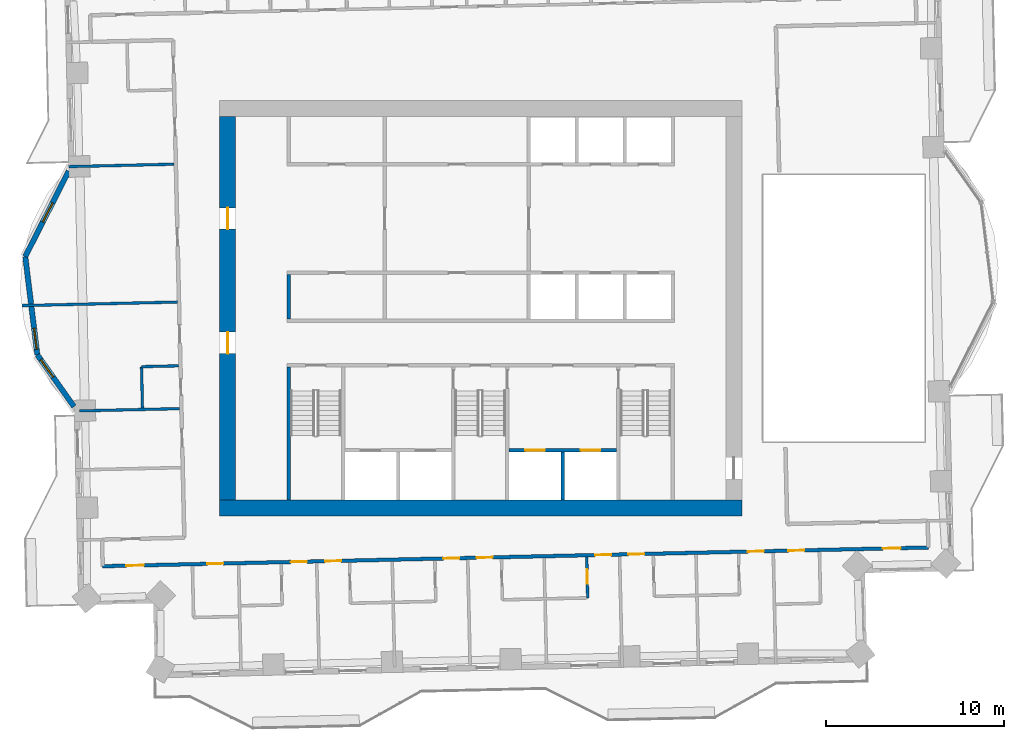
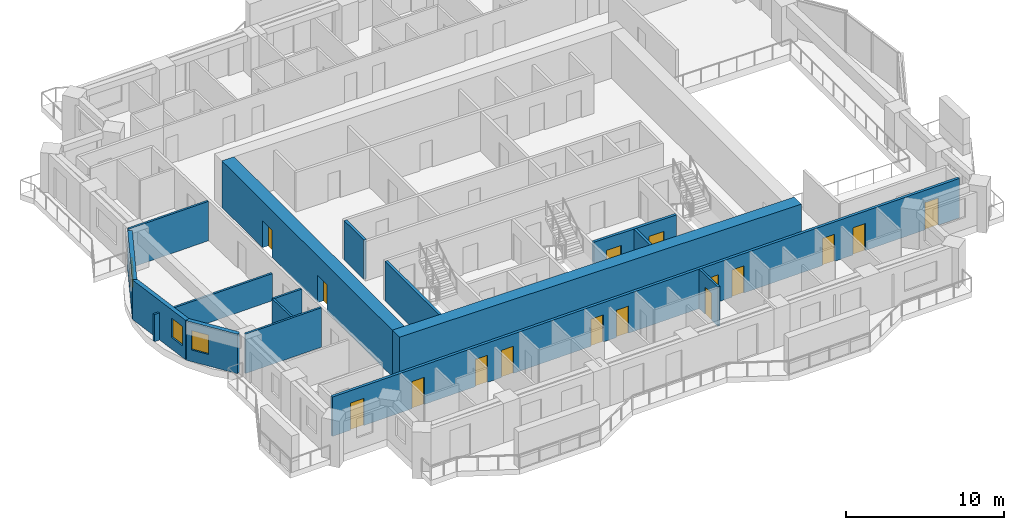
# One storey, part 7 of 16: 16 doors, 16 walls, 3 windows, 19 openings.
"""IFC4 building model written with IfcOpenShell, lengths in metres."""

from ifc_helpers import new_model, si_unit, direction, frame, frame_2d, origin, place, context, subcontext, project, spatial, rectangle, extrude, material, layer, layer_set, type_object, element, fill, save


model = new_model("IFC4")

# Units and contexts
model_context = context("Model", 3, precision=1e-05, world=origin(), true_north=direction((0.0, 1.0)))
body_context = subcontext(model_context, "Body", "Model", "MODEL_VIEW")
ifc_project = project(units=[si_unit("LENGTHUNIT", "METRE"), si_unit("AREAUNIT", "SQUARE_METRE"), si_unit("VOLUMEUNIT", "CUBIC_METRE"), si_unit("PLANEANGLEUNIT", "RADIAN"), si_unit("MASSUNIT", "GRAM", prefix="KILO")], contexts=[model_context])

# Site, building, storey
site_placement = place(None, origin())
site = spatial("IfcSite", under=ifc_project, at=site_placement, CompositionType="ELEMENT")
building_placement = place(site_placement, origin())
building = spatial("IfcBuilding", under=site, at=building_placement, Name="Mangrove Gate Tower", CompositionType="ELEMENT")
storey_placement = place(building_placement, frame((0.0, 0.0, 178.89990234375)))
storey = spatial("IfcBuildingStorey", under=building, at=storey_placement, Name="L45", CompositionType="ELEMENT", Elevation=178.89990234375)

# Wall
ifc_material_1 = material(Name="Concrete C32/40", Category="concrete")
ifc_layer_1 = layer(ifc_material_1, 0.199951171875)
ifc_layer_set_1 = layer_set([ifc_layer_1], Name="Core room wall 200 C32/40")
wall_type_1 = type_object("IfcWallType", Name="Core room wall 200 C32/40", PredefinedType="STANDARD", material=ifc_layer_set_1)
wall_1_placement = place(storey_placement, frame((-10.800048828125, -0.60009765625, 0.0), z_axis=(0.0, 0.0, 1.0), x_axis=(0.0, 1.0, 0.0)))
element("IfcWall", 1, at=wall_1_placement, inside=storey, type_object=wall_type_1, Name="WALL-L45-CORE-19", PredefinedType="STANDARD", context=body_context, shape_type="SweptSolid", body=[
    extrude(rectangle(XDim=2.5, YDim=0.199951171875, at=frame_2d((1.25, 0.0))), origin(), (0.0, 0.0, 1.0), 3.050048828125),
])

# Wall, openings, doors
ifc_material_2 = material(Name="Concrete C60/75", Category="concrete")
ifc_layer_2 = layer(ifc_material_2, 0.199951171875)
ifc_layer_set_2 = layer_set([ifc_layer_2], Name="Core shaft wall 200 C60/75")
wall_type_2 = type_object("IfcWallType", Name="Core shaft wall 200 C60/75", PredefinedType="SHEAR", material=ifc_layer_set_2)
wall_2_placement = place(storey_placement, frame((1.60009765625, -8.0, 0.0), z_axis=(0.0, 0.0, 1.0), x_axis=(1.0, 0.0, 0.0)))
wall_2 = element("IfcWall", 2, at=wall_2_placement, inside=storey, type_object=wall_type_2, Name="WALL-L45-CORE-17", PredefinedType="SHEAR", context=body_context, shape_type="SweptSolid", body=[
    extrude(rectangle(XDim=6.0498046875, YDim=0.199951171875, at=frame_2d((3.02490234375, 0.0))), origin(), (0.0, 0.0, 1.0), 3.050048828125),
])
opening_1_placement = place(wall_2_placement, frame((0.91259765625, 0.0, 0.0)))
opening_1 = element("IfcOpeningElement", 3, at=opening_1_placement, cuts=wall_2, Name="Opening LD", PredefinedType="OPENING", context=body_context, shape_type="SweptSolid", body=[
    extrude(rectangle(XDim=1.10009765625, YDim=2.10009765625, at=frame_2d((0.550048828125, 1.050048828125))), frame((0.0, 0.10986328125, 0.0), z_axis=(0.0, -1.0, 0.0), x_axis=(1.0, 0.0, 0.0)), (0.0, 0.0, 1.0), 0.219970703125),
])
opening_2_placement = place(wall_2_placement, frame((4.03759765625, 0.0, 0.0)))
opening_2 = element("IfcOpeningElement", 4, at=opening_2_placement, cuts=wall_2, Name="Opening LD", PredefinedType="OPENING", context=body_context, shape_type="SweptSolid", body=[
    extrude(rectangle(XDim=1.10009765625, YDim=2.10009765625, at=frame_2d((0.550048828125, 1.050048828125))), frame((0.0, 0.10986328125, 0.0), z_axis=(0.0, -1.0, 0.0), x_axis=(1.0, 0.0, 0.0)), (0.0, 0.0, 1.0), 0.219970703125),
])
ifc_material_3 = material(Name="Stainless steel 316", Category="steel")
door_type_1 = type_object("IfcDoorType", Name="Lift landing door 1100x2100", OperationType="SLIDING_TO_LEFT", PredefinedType="DOOR", material=ifc_material_3)
door_1_placement = place(opening_1_placement, origin())
door_1 = element("IfcDoor", 5, at=door_1_placement, inside=storey, type_object=door_type_1, Name="Landing door LD FFL1", OperationType="SLIDING_TO_LEFT", OverallHeight=2.10009765625, OverallWidth=1.10009765625, PredefinedType="DOOR", context=body_context, shape_type="SweptSolid", body=[
    extrude(rectangle(XDim=1.10009765625, YDim=2.10009765625, at=frame_2d((0.550048828125, 1.050048828125))), frame((0.0, 0.02490234375, 0.0), z_axis=(0.0, -1.0, 0.0), x_axis=(1.0, 0.0, 0.0)), (0.0, 0.0, 1.0), 0.050048828125),
])
fill(opening_1, door_1)
door_2_placement = place(opening_2_placement, origin())
door_2 = element("IfcDoor", 6, at=door_2_placement, inside=storey, type_object=door_type_1, Name="Landing door LD FFL2", OperationType="SLIDING_TO_LEFT", OverallHeight=2.10009765625, OverallWidth=1.10009765625, PredefinedType="DOOR", context=body_context, shape_type="SweptSolid", body=[
    extrude(rectangle(XDim=1.10009765625, YDim=2.10009765625, at=frame_2d((0.550048828125, 1.050048828125))), frame((0.0, 0.02490234375, 0.0), z_axis=(0.0, -1.0, 0.0), x_axis=(1.0, 0.0, 0.0)), (0.0, 0.0, 1.0), 0.050048828125),
])
fill(opening_2, door_2)

# Walls
wall_3_placement = place(storey_placement, frame((4.625, -10.800048828125, 0.0), z_axis=(0.0, 0.0, 1.0), x_axis=(0.0, 1.0, 0.0)))
element("IfcWall", 7, at=wall_3_placement, inside=storey, type_object=wall_type_2, Name="WALL-L45-CORE-18", PredefinedType="SHEAR", context=body_context, shape_type="SweptSolid", body=[
    extrude(rectangle(XDim=2.699951171875, YDim=0.199951171875, at=frame_2d((1.35009765625, 0.0))), origin(), (0.0, 0.0, 1.0), 3.050048828125),
])
ifc_material_4 = material(Name="Concrete C60/75", Category="concrete")
ifc_layer_3 = layer(ifc_material_4, 0.199951171875)
ifc_layer_set_3 = layer_set([ifc_layer_3], Name="Core stair wall 200 C60/75")
wall_type_3 = type_object("IfcWallType", Name="Core stair wall 200 C60/75", PredefinedType="SHEAR", material=ifc_layer_set_3)
wall_4_placement = place(storey_placement, frame((-10.800048828125, -10.800048828125, 0.0), z_axis=(0.0, 0.0, 1.0), x_axis=(0.0, 1.0, 0.0)))
element("IfcWall", 8, at=wall_4_placement, inside=storey, type_object=wall_type_3, Name="WALL-L45-CORE-9", PredefinedType="SHEAR", context=body_context, shape_type="SweptSolid", body=[
    extrude(rectangle(XDim=7.5, YDim=0.199951171875, at=frame_2d((3.75, 0.0))), origin(), (0.0, 0.0, 1.0), 3.050048828125),
])
ifc_material_5 = material(Name="Concrete C60/75", Category="concrete")
ifc_layer_4 = layer(ifc_material_5, 0.89990234375)
ifc_layer_set_4 = layer_set([ifc_layer_4], Name="Core wall 900 C60/75")
wall_type_4 = type_object("IfcWallType", Name="Core wall 900 C60/75", PredefinedType="SHEAR", material=ifc_layer_set_4)
wall_5_placement = place(storey_placement, frame((-14.699951171875, -11.25, 0.0), z_axis=(0.0, 0.0, 1.0), x_axis=(1.0, 0.0, 0.0)))
element("IfcWall", 9, at=wall_5_placement, inside=storey, type_object=wall_type_4, Name="WALL-L45-CORE-1", PredefinedType="SHEAR", context=body_context, shape_type="SweptSolid", body=[
    extrude(rectangle(XDim=29.39990234375, YDim=0.89990234375, at=frame_2d((14.699951171875, 0.0))), origin(), (0.0, 0.0, 1.0), 3.60009765625),
])

# Wall, openings, doors
wall_6_placement = place(storey_placement, frame((-14.25, -10.800048828125, 0.0), z_axis=(0.0, 0.0, 1.0), x_axis=(0.0, 1.0, 0.0)))
wall_6 = element("IfcWall", 10, at=wall_6_placement, inside=storey, type_object=wall_type_4, Name="WALL-L45-CORE-3", PredefinedType="SHEAR", context=body_context, shape_type="SweptSolid", body=[
    extrude(rectangle(XDim=21.60009765625, YDim=0.89990234375, at=frame_2d((10.800048828125, 0.0))), origin(), (0.0, 0.0, 1.0), 3.60009765625),
])
opening_3_placement = place(wall_6_placement, frame((8.25, 0.0, 0.0)))
opening_3 = element("IfcOpeningElement", 11, at=opening_3_placement, cuts=wall_6, Name="Opening CD", PredefinedType="OPENING", context=body_context, shape_type="SweptSolid", body=[
    extrude(rectangle(XDim=1.199951171875, YDim=2.10009765625, at=frame_2d((0.60009765625, 1.050048828125))), frame((0.0, 0.4599609375, 0.0), z_axis=(0.0, -1.0, 0.0), x_axis=(1.0, 0.0, 0.0)), (0.0, 0.0, 1.0), 0.919921875),
])
opening_4_placement = place(wall_6_placement, frame((15.25, 0.0, 0.0)))
opening_4 = element("IfcOpeningElement", 12, at=opening_4_placement, cuts=wall_6, Name="Opening CD", PredefinedType="OPENING", context=body_context, shape_type="SweptSolid", body=[
    extrude(rectangle(XDim=1.199951171875, YDim=2.10009765625, at=frame_2d((0.60009765625, 1.050048828125))), frame((0.0, 0.4599609375, 0.0), z_axis=(0.0, -1.0, 0.0), x_axis=(1.0, 0.0, 0.0)), (0.0, 0.0, 1.0), 0.919921875),
])
ifc_material_6 = material(Name="Fire-rated steel door set", Category="steel")
door_type_2 = type_object("IfcDoorType", Name="Core ring door FD60 1200x2100", OperationType="DOUBLE_DOOR_SINGLE_SWING", PredefinedType="DOOR", material=ifc_material_6)
door_3_placement = place(opening_3_placement, origin())
door_3 = element("IfcDoor", 13, at=door_3_placement, inside=storey, type_object=door_type_2, Name="Core ring door W1", OperationType="DOUBLE_DOOR_SINGLE_SWING", OverallHeight=2.10009765625, OverallWidth=1.199951171875, PredefinedType="DOOR", context=body_context, shape_type="SweptSolid", body=[
    extrude(rectangle(XDim=1.199951171875, YDim=2.10009765625, at=frame_2d((0.60009765625, 1.050048828125))), frame((0.0, 0.02490234375, 0.0), z_axis=(0.0, -1.0, 0.0), x_axis=(1.0, 0.0, 0.0)), (0.0, 0.0, 1.0), 0.050048828125),
])
fill(opening_3, door_3)
door_4_placement = place(opening_4_placement, origin())
door_4 = element("IfcDoor", 14, at=door_4_placement, inside=storey, type_object=door_type_2, Name="Core ring door W2", OperationType="DOUBLE_DOOR_SINGLE_SWING", OverallHeight=2.10009765625, OverallWidth=1.199951171875, PredefinedType="DOOR", context=body_context, shape_type="SweptSolid", body=[
    extrude(rectangle(XDim=1.199951171875, YDim=2.10009765625, at=frame_2d((0.60009765625, 1.050048828125))), frame((0.0, 0.02490234375, 0.0), z_axis=(0.0, -1.0, 0.0), x_axis=(1.0, 0.0, 0.0)), (0.0, 0.0, 1.0), 0.050048828125),
])
fill(opening_4, door_4)

ifc_material_7 = material(Name="Gypsum board on steel stud, EI 60", Category="steel")
ifc_layer_5 = layer(ifc_material_7, 0.199951171875)
ifc_layer_set_5 = layer_set([ifc_layer_5], Name="Corridor wall EI 60")
wall_type_5 = type_object("IfcWallType", Name="Corridor wall EI 60", PredefinedType="PARTITIONING", material=ifc_layer_set_5)
wall_7_placement = place(storey_placement, frame((-21.279052734375, -14.52294921875, 0.0), z_axis=(0.0, 0.0, 1.0), x_axis=(0.999742878501, 0.022675468818, 0.0)))
wall_7 = element("IfcWall", 15, at=wall_7_placement, inside=storey, type_object=wall_type_5, Name="WALL-L45-024", PredefinedType="PARTITIONING", context=body_context, shape_type="SweptSolid", body=[
    extrude(rectangle(XDim=46.47998046875, YDim=0.199951171875, at=frame_2d((23.239990234375, 0.0))), origin(), (0.0, 0.0, 1.0), 3.050048828125),
])
opening_5_placement = place(wall_7_placement, frame((1.324951171875, 0.0, 0.0)))
opening_5 = element("IfcOpeningElement", 16, at=opening_5_placement, cuts=wall_7, Name="Opening AD", PredefinedType="OPENING", context=body_context, shape_type="SweptSolid", body=[
    extrude(rectangle(XDim=1.0, YDim=2.10009765625, at=frame_2d((0.5, 1.050048828125))), frame((0.0, 0.10986328125, 0.0), z_axis=(0.0, -1.0, 0.0), x_axis=(1.0, 0.0, 0.0)), (0.0, 0.0, 1.0), 0.219970703125),
])
opening_6_placement = place(wall_7_placement, frame((5.89990234375, 0.0, 0.0)))
opening_6 = element("IfcOpeningElement", 17, at=opening_6_placement, cuts=wall_7, Name="Opening SD", PredefinedType="OPENING", context=body_context, shape_type="SweptSolid", body=[
    extrude(rectangle(XDim=0.89990234375, YDim=2.10009765625, at=frame_2d((0.449951171875, 1.050048828125))), frame((0.0, 0.10986328125, 0.0), z_axis=(0.0, -1.0, 0.0), x_axis=(1.0, 0.0, 0.0)), (0.0, 0.0, 1.0), 0.219970703125),
])
opening_7_placement = place(wall_7_placement, frame((10.60009765625, 0.0, 0.0)))
opening_7 = element("IfcOpeningElement", 18, at=opening_7_placement, cuts=wall_7, Name="Opening BD", PredefinedType="OPENING", context=body_context, shape_type="SweptSolid", body=[
    extrude(rectangle(XDim=0.89990234375, YDim=2.10009765625, at=frame_2d((0.449951171875, 1.050048828125))), frame((0.0, 0.10986328125, 0.0), z_axis=(0.0, -1.0, 0.0), x_axis=(1.0, 0.0, 0.0)), (0.0, 0.0, 1.0), 0.219970703125),
])
opening_8_placement = place(wall_7_placement, frame((12.52490234375, 0.0, 0.0)))
opening_8 = element("IfcOpeningElement", 19, at=opening_8_placement, cuts=wall_7, Name="Opening BD", PredefinedType="OPENING", context=body_context, shape_type="SweptSolid", body=[
    extrude(rectangle(XDim=0.89990234375, YDim=2.10009765625, at=frame_2d((0.449951171875, 1.050048828125))), frame((0.0, 0.10986328125, 0.0), z_axis=(0.0, -1.0, 0.0), x_axis=(1.0, 0.0, 0.0)), (0.0, 0.0, 1.0), 0.219970703125),
])
opening_9_placement = place(wall_7_placement, frame((19.175048828125, 0.0, 0.0)))
opening_9 = element("IfcOpeningElement", 20, at=opening_9_placement, cuts=wall_7, Name="Opening BD", PredefinedType="OPENING", context=body_context, shape_type="SweptSolid", body=[
    extrude(rectangle(XDim=0.89990234375, YDim=2.10009765625, at=frame_2d((0.449951171875, 1.050048828125))), frame((0.0, 0.10986328125, 0.0), z_axis=(0.0, -1.0, 0.0), x_axis=(1.0, 0.0, 0.0)), (0.0, 0.0, 1.0), 0.219970703125),
])
opening_10_placement = place(wall_7_placement, frame((21.050048828125, 0.0, 0.0)))
opening_10 = element("IfcOpeningElement", 21, at=opening_10_placement, cuts=wall_7, Name="Opening BD", PredefinedType="OPENING", context=body_context, shape_type="SweptSolid", body=[
    extrude(rectangle(XDim=0.89990234375, YDim=2.10009765625, at=frame_2d((0.449951171875, 1.050048828125))), frame((0.0, 0.10986328125, 0.0), z_axis=(0.0, -1.0, 0.0), x_axis=(1.0, 0.0, 0.0)), (0.0, 0.0, 1.0), 0.219970703125),
])
opening_11_placement = place(wall_7_placement, frame((27.72509765625, 0.0, 0.0)))
opening_11 = element("IfcOpeningElement", 22, at=opening_11_placement, cuts=wall_7, Name="Opening BD", PredefinedType="OPENING", context=body_context, shape_type="SweptSolid", body=[
    extrude(rectangle(XDim=0.89990234375, YDim=2.10009765625, at=frame_2d((0.449951171875, 1.050048828125))), frame((0.0, 0.10986328125, 0.0), z_axis=(0.0, -1.0, 0.0), x_axis=(1.0, 0.0, 0.0)), (0.0, 0.0, 1.0), 0.219970703125),
])
opening_12_placement = place(wall_7_placement, frame((29.60009765625, 0.0, 0.0)))
opening_12 = element("IfcOpeningElement", 23, at=opening_12_placement, cuts=wall_7, Name="Opening BD", PredefinedType="OPENING", context=body_context, shape_type="SweptSolid", body=[
    extrude(rectangle(XDim=0.89990234375, YDim=2.10009765625, at=frame_2d((0.449951171875, 1.050048828125))), frame((0.0, 0.10986328125, 0.0), z_axis=(0.0, -1.0, 0.0), x_axis=(1.0, 0.0, 0.0)), (0.0, 0.0, 1.0), 0.219970703125),
])
opening_13_placement = place(wall_7_placement, frame((36.324951171875, 0.0, 0.0)))
opening_13 = element("IfcOpeningElement", 24, at=opening_13_placement, cuts=wall_7, Name="Opening BD", PredefinedType="OPENING", context=body_context, shape_type="SweptSolid", body=[
    extrude(rectangle(XDim=0.89990234375, YDim=2.10009765625, at=frame_2d((0.449951171875, 1.050048828125))), frame((0.0, 0.10986328125, 0.0), z_axis=(0.0, -1.0, 0.0), x_axis=(1.0, 0.0, 0.0)), (0.0, 0.0, 1.0), 0.219970703125),
])
opening_14_placement = place(wall_7_placement, frame((43.9150390625, 0.0, 0.0)))
opening_14 = element("IfcOpeningElement", 25, at=opening_14_placement, cuts=wall_7, Name="Opening AD", PredefinedType="OPENING", context=body_context, shape_type="SweptSolid", body=[
    extrude(rectangle(XDim=1.0, YDim=2.10009765625, at=frame_2d((0.5, 1.050048828125))), frame((0.0, 0.10986328125, 0.0), z_axis=(0.0, -1.0, 0.0), x_axis=(1.0, 0.0, 0.0)), (0.0, 0.0, 1.0), 0.219970703125),
])
opening_15_placement = place(wall_7_placement, frame((38.60009765625, 0.0, 0.0)))
opening_15 = element("IfcOpeningElement", 26, at=opening_15_placement, cuts=wall_7, Name="Opening SD", PredefinedType="OPENING", context=body_context, shape_type="SweptSolid", body=[
    extrude(rectangle(XDim=0.89990234375, YDim=2.10009765625, at=frame_2d((0.449951171875, 1.050048828125))), frame((0.0, 0.10986328125, 0.0), z_axis=(0.0, -1.0, 0.0), x_axis=(1.0, 0.0, 0.0)), (0.0, 0.0, 1.0), 0.219970703125),
])
ifc_material_8 = material(Name="Timber door leaf", Category="wood")
door_type_3 = type_object("IfcDoorType", Name="Amenity door 1000", OperationType="SINGLE_SWING_LEFT", PredefinedType="DOOR", material=ifc_material_8)
door_5_placement = place(opening_5_placement, origin())
door_5 = element("IfcDoor", 27, at=door_5_placement, inside=storey, type_object=door_type_3, Name="DOOR-L45-GAM-c1a", OperationType="SINGLE_SWING_LEFT", OverallHeight=2.10009765625, OverallWidth=1.0, PredefinedType="DOOR", context=body_context, shape_type="SweptSolid", body=[
    extrude(rectangle(XDim=1.0, YDim=2.10009765625, at=frame_2d((0.5, 1.050048828125))), frame((0.0, 0.02490234375, 0.0), z_axis=(0.0, -1.0, 0.0), x_axis=(1.0, 0.0, 0.0)), (0.0, 0.0, 1.0), 0.050048828125),
])
fill(opening_5, door_5)
door_6_placement = place(opening_14_placement, origin())
door_6 = element("IfcDoor", 28, at=door_6_placement, inside=storey, type_object=door_type_3, Name="DOOR-L45-LNG-c3a", OperationType="SINGLE_SWING_RIGHT", OverallHeight=2.10009765625, OverallWidth=1.0, PredefinedType="DOOR", context=body_context, shape_type="SweptSolid", body=[
    extrude(rectangle(XDim=1.0, YDim=2.10009765625, at=frame_2d((0.5, 1.050048828125))), frame((0.0, 0.02490234375, 0.0), z_axis=(0.0, -1.0, 0.0), x_axis=(1.0, 0.0, 0.0)), (0.0, 0.0, 1.0), 0.050048828125),
])
fill(opening_14, door_6)
ifc_material_9 = material(Name="Timber door leaf", Category="wood")
door_type_4 = type_object("IfcDoorType", Name="Bedroom door 900", OperationType="SINGLE_SWING_LEFT", PredefinedType="DOOR", material=ifc_material_9)
door_7_placement = place(opening_7_placement, origin())
door_7 = element("IfcDoor", 29, at=door_7_placement, inside=storey, type_object=door_type_4, Name="DOOR-L45-BED-c101", OperationType="SINGLE_SWING_LEFT", OverallHeight=2.10009765625, OverallWidth=0.89990234375, PredefinedType="DOOR", context=body_context, shape_type="SweptSolid", body=[
    extrude(rectangle(XDim=0.89990234375, YDim=2.10009765625, at=frame_2d((0.449951171875, 1.050048828125))), frame((0.0, 0.02490234375, 0.0), z_axis=(0.0, -1.0, 0.0), x_axis=(1.0, 0.0, 0.0)), (0.0, 0.0, 1.0), 0.050048828125),
])
fill(opening_7, door_7)
door_8_placement = place(opening_8_placement, origin())
door_8 = element("IfcDoor", 30, at=door_8_placement, inside=storey, type_object=door_type_4, Name="DOOR-L45-BED-c102", OperationType="SINGLE_SWING_RIGHT", OverallHeight=2.10009765625, OverallWidth=0.89990234375, PredefinedType="DOOR", context=body_context, shape_type="SweptSolid", body=[
    extrude(rectangle(XDim=0.89990234375, YDim=2.10009765625, at=frame_2d((0.449951171875, 1.050048828125))), frame((0.0, 0.02490234375, 0.0), z_axis=(0.0, -1.0, 0.0), x_axis=(1.0, 0.0, 0.0)), (0.0, 0.0, 1.0), 0.050048828125),
])
fill(opening_8, door_8)
door_9_placement = place(opening_9_placement, origin())
door_9 = element("IfcDoor", 31, at=door_9_placement, inside=storey, type_object=door_type_4, Name="DOOR-L45-BED-c103", OperationType="SINGLE_SWING_LEFT", OverallHeight=2.10009765625, OverallWidth=0.89990234375, PredefinedType="DOOR", context=body_context, shape_type="SweptSolid", body=[
    extrude(rectangle(XDim=0.89990234375, YDim=2.10009765625, at=frame_2d((0.449951171875, 1.050048828125))), frame((0.0, 0.02490234375, 0.0), z_axis=(0.0, -1.0, 0.0), x_axis=(1.0, 0.0, 0.0)), (0.0, 0.0, 1.0), 0.050048828125),
])
fill(opening_9, door_9)
door_10_placement = place(opening_10_placement, origin())
door_10 = element("IfcDoor", 32, at=door_10_placement, inside=storey, type_object=door_type_4, Name="DOOR-L45-BED-c204", OperationType="SINGLE_SWING_RIGHT", OverallHeight=2.10009765625, OverallWidth=0.89990234375, PredefinedType="DOOR", context=body_context, shape_type="SweptSolid", body=[
    extrude(rectangle(XDim=0.89990234375, YDim=2.10009765625, at=frame_2d((0.449951171875, 1.050048828125))), frame((0.0, 0.02490234375, 0.0), z_axis=(0.0, -1.0, 0.0), x_axis=(1.0, 0.0, 0.0)), (0.0, 0.0, 1.0), 0.050048828125),
])
fill(opening_10, door_10)
door_11_placement = place(opening_11_placement, origin())
door_11 = element("IfcDoor", 33, at=door_11_placement, inside=storey, type_object=door_type_4, Name="DOOR-L45-BED-c205", OperationType="SINGLE_SWING_LEFT", OverallHeight=2.10009765625, OverallWidth=0.89990234375, PredefinedType="DOOR", context=body_context, shape_type="SweptSolid", body=[
    extrude(rectangle(XDim=0.89990234375, YDim=2.10009765625, at=frame_2d((0.449951171875, 1.050048828125))), frame((0.0, 0.02490234375, 0.0), z_axis=(0.0, -1.0, 0.0), x_axis=(1.0, 0.0, 0.0)), (0.0, 0.0, 1.0), 0.050048828125),
])
fill(opening_11, door_11)
door_12_placement = place(opening_12_placement, origin())
door_12 = element("IfcDoor", 34, at=door_12_placement, inside=storey, type_object=door_type_4, Name="DOOR-L45-BED-c206", OperationType="SINGLE_SWING_RIGHT", OverallHeight=2.10009765625, OverallWidth=0.89990234375, PredefinedType="DOOR", context=body_context, shape_type="SweptSolid", body=[
    extrude(rectangle(XDim=0.89990234375, YDim=2.10009765625, at=frame_2d((0.449951171875, 1.050048828125))), frame((0.0, 0.02490234375, 0.0), z_axis=(0.0, -1.0, 0.0), x_axis=(1.0, 0.0, 0.0)), (0.0, 0.0, 1.0), 0.050048828125),
])
fill(opening_12, door_12)
door_13_placement = place(opening_13_placement, origin())
door_13 = element("IfcDoor", 35, at=door_13_placement, inside=storey, type_object=door_type_4, Name="DOOR-L45-BED-c307", OperationType="SINGLE_SWING_LEFT", OverallHeight=2.10009765625, OverallWidth=0.89990234375, PredefinedType="DOOR", context=body_context, shape_type="SweptSolid", body=[
    extrude(rectangle(XDim=0.89990234375, YDim=2.10009765625, at=frame_2d((0.449951171875, 1.050048828125))), frame((0.0, 0.02490234375, 0.0), z_axis=(0.0, -1.0, 0.0), x_axis=(1.0, 0.0, 0.0)), (0.0, 0.0, 1.0), 0.050048828125),
])
fill(opening_13, door_13)
ifc_material_10 = material(Name="Timber door leaf", Category="wood")
door_type_5 = type_object("IfcDoorType", Name="Service room door 900", OperationType="SINGLE_SWING_LEFT", PredefinedType="DOOR", material=ifc_material_10)
door_14_placement = place(opening_6_placement, origin())
door_14 = element("IfcDoor", 36, at=door_14_placement, inside=storey, type_object=door_type_5, Name="DOOR-L45-AWC-c1a", OperationType="SINGLE_SWING_LEFT", OverallHeight=2.10009765625, OverallWidth=0.89990234375, PredefinedType="DOOR", context=body_context, shape_type="SweptSolid", body=[
    extrude(rectangle(XDim=0.89990234375, YDim=2.10009765625, at=frame_2d((0.449951171875, 1.050048828125))), frame((0.0, 0.02490234375, 0.0), z_axis=(0.0, -1.0, 0.0), x_axis=(1.0, 0.0, 0.0)), (0.0, 0.0, 1.0), 0.050048828125),
])
fill(opening_6, door_14)
door_15_placement = place(opening_15_placement, origin())
door_15 = element("IfcDoor", 37, at=door_15_placement, inside=storey, type_object=door_type_5, Name="DOOR-L45-AWC-c3a", OperationType="SINGLE_SWING_RIGHT", OverallHeight=2.10009765625, OverallWidth=0.89990234375, PredefinedType="DOOR", context=body_context, shape_type="SweptSolid", body=[
    extrude(rectangle(XDim=0.89990234375, YDim=2.10009765625, at=frame_2d((0.449951171875, 1.050048828125))), frame((0.0, 0.02490234375, 0.0), z_axis=(0.0, -1.0, 0.0), x_axis=(1.0, 0.0, 0.0)), (0.0, 0.0, 1.0), 0.050048828125),
])
fill(opening_15, door_15)

# Wall, opening, window
ifc_material_11 = material(Name="Limestone", Category="masonry")
ifc_layer_6 = layer(ifc_material_11, 0.0400390625, Name="Limestone cladding")
ifc_material_12 = material(Name="Ventilated air gap")
ifc_layer_7 = layer(ifc_material_12, 0.0400390625, Name="Ventilated cavity")
ifc_material_13 = material(Name="Mineral wool insulation")
ifc_layer_8 = layer(ifc_material_13, 0.06005859375, Name="Insulation")
ifc_material_14 = material(Name="Breather membrane")
ifc_layer_9 = layer(ifc_material_14, 0.001953125, Name="Breather membrane")
ifc_material_15 = material(Name="Concrete C20/25 blockwork", Category="masonry")
ifc_layer_10 = layer(ifc_material_15, 0.14990234375, Name="Blockwork backing wall")
ifc_material_16 = material(Name="Gypsum plaster")
ifc_layer_11 = layer(ifc_material_16, 0.008056640625, Name="Internal plaster")
ifc_layer_set_6 = layer_set([ifc_layer_6, ifc_layer_7, ifc_layer_8, ifc_layer_9, ifc_layer_10, ifc_layer_11], Name="External wall 300 limestone cladding")
wall_type_6 = type_object("IfcWallType", Name="External wall 300 limestone cladding", PredefinedType="SOLIDWALL", material=ifc_layer_set_6)
wall_8_placement = place(storey_placement, frame((-23.194091796875, 7.718994140625, 0.0), z_axis=(0.0, 0.0, 1.0), x_axis=(-0.452597193435, -0.891715078091, 0.0)))
wall_8 = element("IfcWall", 38, at=wall_8_placement, inside=storey, type_object=wall_type_6, Name="WALL-L45-W9f1", PredefinedType="SOLIDWALL", context=body_context, shape_type="SweptSolid", body=[
    extrude(rectangle(XDim=5.3974609375, YDim=0.300048828125, at=frame_2d((2.69873046875, 0.0))), origin(), (0.0, 0.0, 1.0), 3.050048828125),
])
opening_16_placement = place(wall_8_placement, frame((2.007080078125, 0.0, 0.89990234375)))
opening_16 = element("IfcOpeningElement", 39, at=opening_16_placement, cuts=wall_8, Name="Opening W1", PredefinedType="OPENING", context=body_context, shape_type="SweptSolid", body=[
    extrude(rectangle(XDim=1.199951171875, YDim=1.5, at=frame_2d((0.60009765625, 0.75))), frame((0.0, 0.159912109375, 0.0), z_axis=(0.0, -1.0, 0.0), x_axis=(1.0, 0.0, 0.0)), (0.0, 0.0, 1.0), 0.320068359375),
])
ifc_material_17 = material(Name="Aluminium frame with double-glazed low-e glass", Category="aluminium")
window_type = type_object("IfcWindowType", Name="Side lite 1200x1500", PartitioningType="SINGLE_PANEL", PredefinedType="WINDOW", material=ifc_material_17)
window_1_placement = place(opening_16_placement, origin())
window_1 = element("IfcWindow", 40, at=window_1_placement, inside=storey, type_object=window_type, Name="WIN-L45-W9f1", OverallHeight=1.5, OverallWidth=1.199951171875, PartitioningType="SINGLE_PANEL", PredefinedType="WINDOW", context=body_context, shape_type="SweptSolid", body=[
    extrude(rectangle(XDim=1.199951171875, YDim=1.5, at=frame_2d((0.60009765625, 0.75))), frame((0.0, 0.030029296875, 0.0), z_axis=(0.0, -1.0, 0.0), x_axis=(1.0, 0.0, 0.0)), (0.0, 0.0, 1.0), 0.06005859375),
])
fill(opening_16, window_1)

wall_9_placement = place(storey_placement, frame((-25.636962890625, 2.906005859375, 0.0), z_axis=(0.0, 0.0, 1.0), x_axis=(0.122163831021, -0.992509948761, 0.0)))
wall_9 = element("IfcWall", 41, at=wall_9_placement, inside=storey, type_object=wall_type_6, Name="WALL-L45-W9f2", PredefinedType="SOLIDWALL", context=body_context, shape_type="SweptSolid", body=[
    extrude(rectangle(XDim=5.57373046875, YDim=0.300048828125, at=frame_2d((2.786865234375, 0.0))), origin(), (0.0, 0.0, 1.0), 3.050048828125),
])
opening_17_placement = place(wall_9_placement, frame((4.05810546875, 0.0, 0.89990234375)))
opening_17 = element("IfcOpeningElement", 42, at=opening_17_placement, cuts=wall_9, Name="Opening W1", PredefinedType="OPENING", context=body_context, shape_type="SweptSolid", body=[
    extrude(rectangle(XDim=1.199951171875, YDim=1.5, at=frame_2d((0.60009765625, 0.75))), frame((0.0, 0.159912109375, 0.0), z_axis=(0.0, -1.0, 0.0), x_axis=(1.0, 0.0, 0.0)), (0.0, 0.0, 1.0), 0.320068359375),
])
window_2_placement = place(opening_17_placement, origin())
window_2 = element("IfcWindow", 43, at=window_2_placement, inside=storey, type_object=window_type, Name="WIN-L45-W9f2", OverallHeight=1.5, OverallWidth=1.199951171875, PartitioningType="SINGLE_PANEL", PredefinedType="WINDOW", context=body_context, shape_type="SweptSolid", body=[
    extrude(rectangle(XDim=1.199951171875, YDim=1.5, at=frame_2d((0.60009765625, 0.75))), frame((0.0, 0.030029296875, 0.0), z_axis=(0.0, -1.0, 0.0), x_axis=(1.0, 0.0, 0.0)), (0.0, 0.0, 1.0), 0.06005859375),
])
fill(opening_17, window_2)

wall_10_placement = place(storey_placement, frame((-24.9560546875, -2.6259765625, 0.0), z_axis=(0.0, 0.0, 1.0), x_axis=(0.578009745555, -0.816029861, 0.0)))
wall_10 = element("IfcWall", 44, at=wall_10_placement, inside=storey, type_object=wall_type_6, Name="WALL-L45-W9f3", PredefinedType="SOLIDWALL", context=body_context, shape_type="SweptSolid", body=[
    extrude(rectangle(XDim=3.5673828125, YDim=0.300048828125, at=frame_2d((1.78369140625, 0.0))), origin(), (0.0, 0.0, 1.0), 3.050048828125),
])
opening_18_placement = place(wall_10_placement, frame((0.337890625, 0.0, 0.89990234375)))
opening_18 = element("IfcOpeningElement", 45, at=opening_18_placement, cuts=wall_10, Name="Opening W1", PredefinedType="OPENING", context=body_context, shape_type="SweptSolid", body=[
    extrude(rectangle(XDim=1.199951171875, YDim=1.5, at=frame_2d((0.60009765625, 0.75))), frame((0.0, 0.159912109375, 0.0), z_axis=(0.0, -1.0, 0.0), x_axis=(1.0, 0.0, 0.0)), (0.0, 0.0, 1.0), 0.320068359375),
])
window_3_placement = place(opening_18_placement, origin())
window_3 = element("IfcWindow", 46, at=window_3_placement, inside=storey, type_object=window_type, Name="WIN-L45-W9f3", OverallHeight=1.5, OverallWidth=1.199951171875, PartitioningType="SINGLE_PANEL", PredefinedType="WINDOW", context=body_context, shape_type="SweptSolid", body=[
    extrude(rectangle(XDim=1.199951171875, YDim=1.5, at=frame_2d((0.60009765625, 0.75))), frame((0.0, 0.030029296875, 0.0), z_axis=(0.0, -1.0, 0.0), x_axis=(1.0, 0.0, 0.0)), (0.0, 0.0, 1.0), 0.06005859375),
])
fill(opening_18, window_3)

# Wall, opening, door
ifc_material_18 = material(Name="Gypsum board on steel stud, EI 60", Category="steel")
ifc_layer_12 = layer(ifc_material_18, 0.14990234375)
ifc_layer_set_7 = layer_set([ifc_layer_12], Name="Party wall 150 EI 60")
wall_type_7 = type_object("IfcWallType", Name="Party wall 150 EI 60", PredefinedType="PARTITIONING", material=ifc_layer_set_7)
wall_11_placement = place(storey_placement, frame((6.01806640625, -16.303955078125, 0.0), z_axis=(0.0, 0.0, 1.0), x_axis=(-0.022612884682, 0.999744296031, 0.0)))
wall_11 = element("IfcWall", 47, at=wall_11_placement, inside=storey, type_object=wall_type_7, Name="WALL-L45-020", PredefinedType="PARTITIONING", context=body_context, shape_type="SweptSolid", body=[
    extrude(rectangle(XDim=2.299560546875, YDim=0.14990234375, at=frame_2d((1.14990234375, 0.0))), origin(), (0.0, 0.0, 1.0), 3.050048828125),
])
opening_19_placement = place(wall_11_placement, frame((0.800048828125, 0.0, 0.0)))
opening_19 = element("IfcOpeningElement", 48, at=opening_19_placement, cuts=wall_11, Name="Opening ED", PredefinedType="OPENING", context=body_context, shape_type="SweptSolid", body=[
    extrude(rectangle(XDim=0.800048828125, YDim=2.10009765625, at=frame_2d((0.39990234375, 1.050048828125))), frame((0.0, 0.0849609375, 0.0), z_axis=(0.0, -1.0, 0.0), x_axis=(1.0, 0.0, 0.0)), (0.0, 0.0, 1.0), 0.169921875),
])
ifc_material_19 = material(Name="Timber door leaf", Category="wood")
door_type_6 = type_object("IfcDoorType", Name="En-suite door 800", OperationType="SINGLE_SWING_LEFT", PredefinedType="DOOR", material=ifc_material_19)
door_16_placement = place(opening_19_placement, origin())
door_16 = element("IfcDoor", 49, at=door_16_placement, inside=storey, type_object=door_type_6, Name="DOOR-L45-ENS-c205", OperationType="SINGLE_SWING_LEFT", OverallHeight=2.10009765625, OverallWidth=0.800048828125, PredefinedType="DOOR", context=body_context, shape_type="SweptSolid", body=[
    extrude(rectangle(XDim=0.800048828125, YDim=2.10009765625, at=frame_2d((0.39990234375, 1.050048828125))), frame((0.0, 0.02490234375, 0.0), z_axis=(0.0, -1.0, 0.0), x_axis=(1.0, 0.0, 0.0)), (0.0, 0.0, 1.0), 0.050048828125),
])
fill(opening_19, door_16)

# Walls
wall_12_placement = place(storey_placement, frame((-22.577880859375, -5.780029296875, 0.0), z_axis=(0.0, 0.0, 1.0), x_axis=(0.999746200787, 0.022528515532, 0.0)))
element("IfcWall", 50, at=wall_12_placement, inside=storey, type_object=wall_type_7, Name="WALL-L45-034", PredefinedType="PARTITIONING", context=body_context, shape_type="SweptSolid", body=[
    extrude(rectangle(XDim=5.63525390625, YDim=0.14990234375, at=frame_2d((2.817626953125, 0.0))), origin(), (0.0, 0.0, 1.0), 3.050048828125),
])
wall_13_placement = place(storey_placement, frame((-19.0400390625, -5.6201171875, 0.0), z_axis=(0.0, 0.0, 1.0), x_axis=(-0.022788198363, 0.99974031529, 0.0)))
element("IfcWall", 51, at=wall_13_placement, inside=storey, type_object=wall_type_7, Name="WALL-L45-035", PredefinedType="PARTITIONING", context=body_context, shape_type="SweptSolid", body=[
    extrude(rectangle(XDim=2.32470703125, YDim=0.14990234375, at=frame_2d((1.162353515625, 0.0))), origin(), (0.0, 0.0, 1.0), 3.050048828125),
])
wall_14_placement = place(storey_placement, frame((-19.097900390625, -3.291015625, 0.0), z_axis=(0.0, 0.0, 1.0), x_axis=(0.999737555419, 0.022908956429, 0.0)))
element("IfcWall", 52, at=wall_14_placement, inside=storey, type_object=wall_type_7, Name="WALL-L45-036", PredefinedType="PARTITIONING", context=body_context, shape_type="SweptSolid", body=[
    extrude(rectangle(XDim=2.099365234375, YDim=0.14990234375, at=frame_2d((1.0498046875, 0.0))), origin(), (0.0, 0.0, 1.0), 3.050048828125),
])
wall_15_placement = place(storey_placement, frame((-25.824951171875, 0.14697265625, 0.0), z_axis=(0.0, 0.0, 1.0), x_axis=(0.999741244423, 0.022747399821, 0.0)))
element("IfcWall", 53, at=wall_15_placement, inside=storey, type_object=wall_type_7, Name="WALL-L45-037", PredefinedType="PARTITIONING", context=body_context, shape_type="SweptSolid", body=[
    extrude(rectangle(XDim=8.7470703125, YDim=0.14990234375, at=frame_2d((4.37353515625, 0.0))), origin(), (0.0, 0.0, 1.0), 2.10009765625),
])
wall_16_placement = place(storey_placement, frame((-23.18994140625, 7.968994140625, 0.0), z_axis=(0.0, 0.0, 1.0), x_axis=(0.999741261868, 0.022746633113, 0.0)))
element("IfcWall", 54, at=wall_16_placement, inside=storey, type_object=wall_type_7, Name="WALL-L45-039", PredefinedType="PARTITIONING", context=body_context, shape_type="SweptSolid", body=[
    extrude(rectangle(XDim=5.935302734375, YDim=0.14990234375, at=frame_2d((2.9677734375, 0.0))), origin(), (0.0, 0.0, 1.0), 3.050048828125),
])

save(model, "model.ifc")
